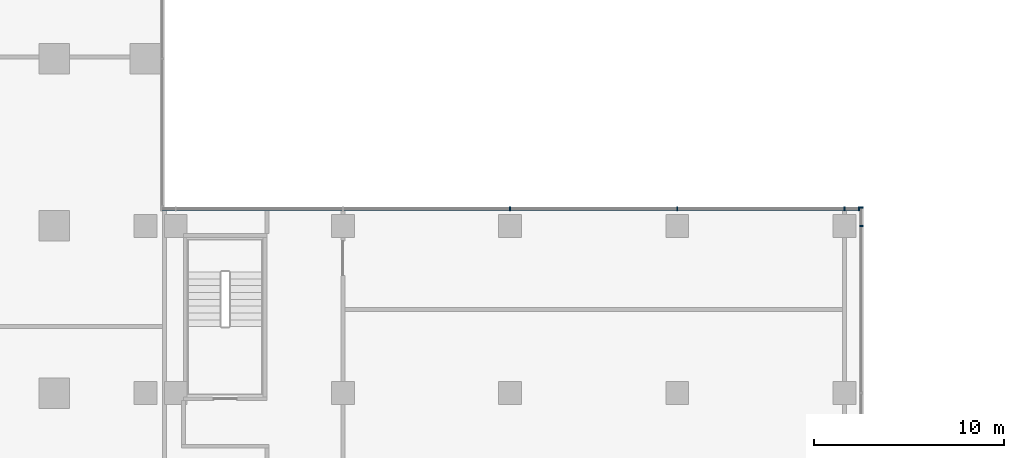
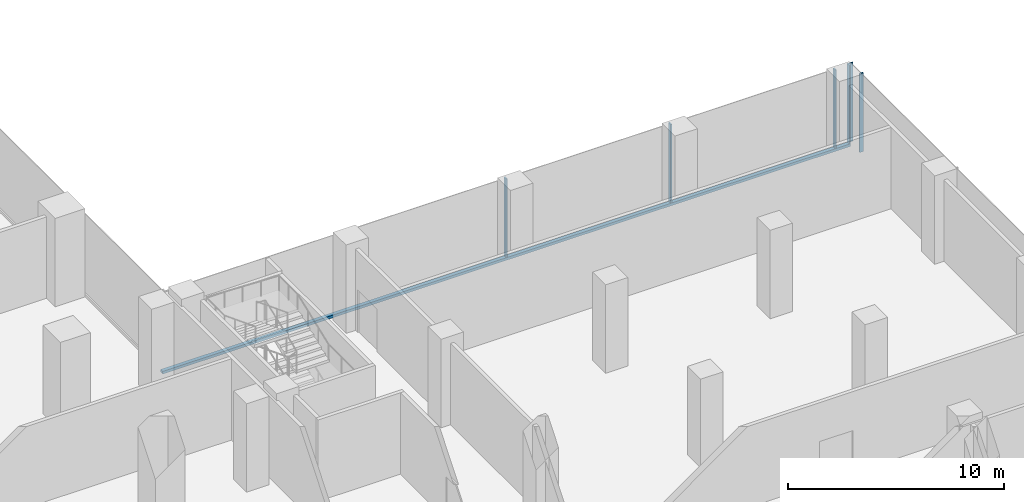
# One storey, part 9 of 30: 7 members, 2 elements without a shape of their own.
"""IFC4 building model written with IfcOpenShell, lengths in metres."""

from ifc_helpers import new_model, si_unit, direction, frame, origin, origin_2d, place, context, subcontext, project, spatial, rectangle, extrude, source, transform, mapped, material, material_profile, profile_set, type_object, element, aggregate, save


model = new_model("IFC4")

# Units and contexts
model_context = context("Model", 3, precision=1e-05, world=origin(), true_north=direction((0.0, 1.0)))
body_context = subcontext(model_context, "Body", "Model", "MODEL_VIEW")
ifc_project = project(units=[si_unit("LENGTHUNIT", "METRE"), si_unit("AREAUNIT", "SQUARE_METRE"), si_unit("VOLUMEUNIT", "CUBIC_METRE"), si_unit("PLANEANGLEUNIT", "RADIAN"), si_unit("MASSUNIT", "GRAM", prefix="KILO")], contexts=[model_context])

# Site, building, storey
site_placement = place(None, origin())
site = spatial("IfcSite", under=ifc_project, at=site_placement, CompositionType="ELEMENT")
building_placement = place(site_placement, origin())
building = spatial("IfcBuilding", under=site, at=building_placement, Name="Kemantara Hotel Tower", CompositionType="ELEMENT")
storey_placement = place(building_placement, frame((0.0, 0.0, 13.0)))
storey = spatial("IfcBuildingStorey", under=building, at=storey_placement, Name="L02", CompositionType="ELEMENT", Elevation=13.0)

# Curtain wall, member
ifc_material_1 = material(Name="Laminated tinted insulated glass 44 mm", Category="glass")
curtain_wall_type = type_object("IfcCurtainWallType", Name="PODIUM GLASS CURTAIN WALL", PredefinedType="USERDEFINED", material=ifc_material_1)
curtain_wall_1_placement = place(storey_placement, origin())
curtain_wall_1 = element("IfcCurtainWall", 1, at=curtain_wall_1_placement, inside=storey, type_object=curtain_wall_type, Name="CW1 L02 POD-R09-1", ObjectType="PODIUM GLASS CURTAIN WALL", PredefinedType="USERDEFINED")
ifc_material_2 = material(Name="Aluminium 6063-T6 bronze anodised", Category="aluminium")
ifc_material_profile_1 = material_profile(ifc_material_2, rectangle(XDim=0.199951171875, YDim=0.14990234375, at=origin_2d()), Name="PODIUM GLASS CURTAIN WALL TRANSOM")
ifc_profile_set_1 = profile_set([ifc_material_profile_1], Name="Aluminium 6063-T6 bronze anodised")
member_type_1 = type_object("IfcMemberType", Name="PODIUM GLASS CURTAIN WALL TRANSOM", PredefinedType="USERDEFINED", material=ifc_profile_set_1)
member_1_placement = place(storey_placement, frame((63.39990234375, 54.699951171875, 0.074951171875), z_axis=(-1.0, 0.0, 0.0), x_axis=(0.0, -1.0, 0.0)))
member_1 = element("IfcMember", 2, at=member_1_placement, type_object=member_type_1, Name="CW1 sill transom POD-R09-1", ObjectType="TRANSOM", PredefinedType="USERDEFINED", context=body_context, shape_type="SweptSolid", body=[
    extrude(rectangle(XDim=0.199951171875, YDim=0.14990234375, at=origin_2d()), origin(), (0.0, 0.0, 1.0), 36.7998046875),
])

# Curtain wall, members
curtain_wall_2_placement = place(storey_placement, origin())
curtain_wall_2 = element("IfcCurtainWall", 3, at=curtain_wall_2_placement, inside=storey, type_object=curtain_wall_type, Name="CW1 L02 POD-R08-1", ObjectType="PODIUM GLASS CURTAIN WALL", PredefinedType="USERDEFINED")
ifc_material_profile_2 = material_profile(ifc_material_2, rectangle(XDim=0.199951171875, YDim=0.074951171875, at=origin_2d()), Name="PODIUM GLASS CURTAIN WALL MULLION")
ifc_profile_set_2 = profile_set([ifc_material_profile_2], Name="Aluminium 6063-T6 bronze anodised")
member_type_2 = type_object("IfcMemberType", Name="PODIUM GLASS CURTAIN WALL MULLION", PredefinedType="MULLION", material=ifc_profile_set_2)
shared_shape = source(origin(), body_context, "Body", "SweptSolid", [
    extrude(rectangle(XDim=0.199951171875, YDim=0.074951171875, at=origin_2d()), origin(), (0.0, 0.0, 1.0), 4.4501953125),
])
member_2_placement = place(storey_placement, frame((63.5, 53.800048828125, 0.14990234375), z_axis=(0.0, 0.0, 1.0), x_axis=(-1.0, 0.0, 0.0)))
member_2 = element("IfcMember", 4, at=member_2_placement, type_object=member_type_2, Name="CW1 mullion POD-R08-1.5", PredefinedType="MULLION", context=body_context, shape_type="MappedRepresentation", body=[
    mapped(shared_shape, transform((0.0, 0.0, 0.0))),
])
member_3_placement = place(storey_placement, frame((63.5, 54.762451171875, 0.14990234375), z_axis=(0.0, 0.0, 1.0), x_axis=(-1.0, 0.0, 0.0)))
member_3 = element("IfcMember", 5, at=member_3_placement, type_object=member_type_2, Name="CW1 mullion POD-R08-1.6", PredefinedType="MULLION", context=body_context, shape_type="MappedRepresentation", body=[
    mapped(shared_shape, transform((0.0, 0.0, 0.0))),
])
aggregate(curtain_wall_2, [member_2, member_3])

# Member
member_4_placement = place(storey_placement, frame((63.362548828125, 54.699951171875, 0.14990234375), z_axis=(0.0, 0.0, 1.0), x_axis=(0.0, -1.0, 0.0)))
member_4 = element("IfcMember", 6, at=member_4_placement, type_object=member_type_2, Name="CW1 mullion POD-R09-1.1", PredefinedType="MULLION", context=body_context, shape_type="MappedRepresentation", body=[
    mapped(shared_shape, transform((0.0, 0.0, 0.0))),
])

member_5_placement = place(storey_placement, frame((62.60009765625, 54.699951171875, 0.14990234375), z_axis=(0.0, 0.0, 1.0), x_axis=(0.0, -1.0, 0.0)))
member_5 = element("IfcMember", 7, at=member_5_placement, type_object=member_type_2, Name="CW1 mullion POD-R09-1.2", PredefinedType="MULLION", context=body_context, shape_type="MappedRepresentation", body=[
    mapped(shared_shape, transform((0.0, 0.0, 0.0))),
])

member_6_placement = place(storey_placement, frame((53.800048828125, 54.699951171875, 0.14990234375), z_axis=(0.0, 0.0, 1.0), x_axis=(0.0, -1.0, 0.0)))
member_6 = element("IfcMember", 8, at=member_6_placement, type_object=member_type_2, Name="CW1 mullion POD-R09-1.3", PredefinedType="MULLION", context=body_context, shape_type="MappedRepresentation", body=[
    mapped(shared_shape, transform((0.0, 0.0, 0.0))),
])

member_7_placement = place(storey_placement, frame((45.0, 54.699951171875, 0.14990234375), z_axis=(0.0, 0.0, 1.0), x_axis=(0.0, -1.0, 0.0)))
member_7 = element("IfcMember", 9, at=member_7_placement, type_object=member_type_2, Name="CW1 mullion POD-R09-1.4", PredefinedType="MULLION", context=body_context, shape_type="MappedRepresentation", body=[
    mapped(shared_shape, transform((0.0, 0.0, 0.0))),
])

aggregate(curtain_wall_1, [member_1, member_4, member_5, member_6, member_7])

save(model, "model.ifc")
